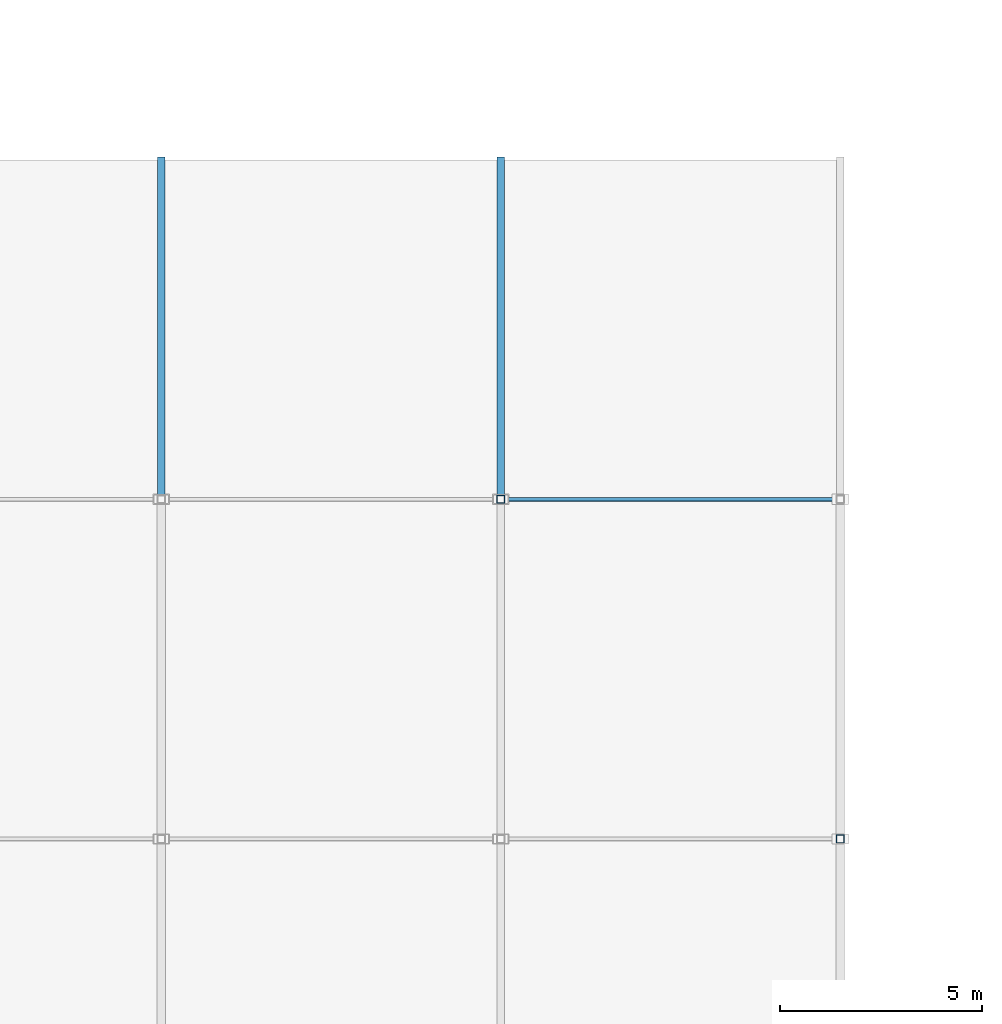
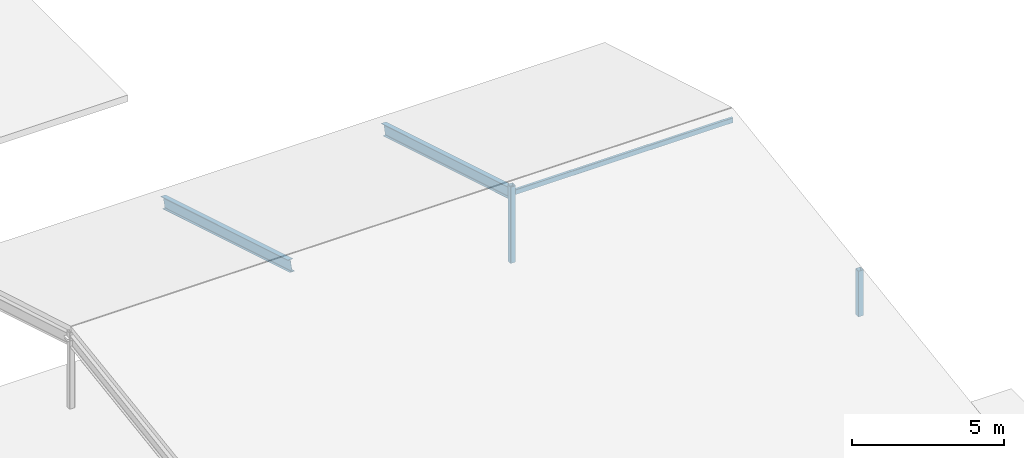
# One storey, part 5 of 31: 3 members, 2 beams.
"""IFC4 building model written with IfcOpenShell, lengths in metres."""

from ifc_helpers import new_model, si_unit, direction, frame, origin, origin_2d, place, context, subcontext, project, spatial, hollow_rectangle, i_section, extrude, material, material_profile, profile_set, type_object, element, save


model = new_model("IFC4")

# Units and contexts
model_context = context("Model", 3, precision=1e-05, world=origin(), true_north=direction((0.0, 1.0)))
body_context = subcontext(model_context, "Body", "Model", "MODEL_VIEW")
ifc_project = project(units=[si_unit("LENGTHUNIT", "METRE"), si_unit("AREAUNIT", "SQUARE_METRE"), si_unit("VOLUMEUNIT", "CUBIC_METRE"), si_unit("PLANEANGLEUNIT", "RADIAN"), si_unit("MASSUNIT", "GRAM", prefix="KILO")], contexts=[model_context])

# Site, building, storey
site_placement = place(None, origin())
site = spatial("IfcSite", under=ifc_project, at=site_placement, CompositionType="ELEMENT")
building_placement = place(site_placement, origin())
building = spatial("IfcBuilding", under=site, at=building_placement, Name="Varnapada Polytechnic", CompositionType="ELEMENT")
storey_placement = place(building_placement, frame((0.0, 0.0, 22.199951171875)))
storey = spatial("IfcBuildingStorey", under=building, at=storey_placement, Name="L05", CompositionType="ELEMENT", Elevation=22.199951171875)

# Beams
ifc_material = material(Name="Steel S355", Category="steel")
ifc_material_profile_1 = material_profile(ifc_material, i_section(OverallWidth=0.18994140625, OverallDepth=0.449951171875, WebThickness=0.009521484375, FlangeThickness=0.0146484375, FilletRadius=0.02099609375, at=origin_2d()), Name="IPE 450")
ifc_profile_set_1 = profile_set([ifc_material_profile_1], Name="Steel S355")
beam_type = type_object("IfcBeamType", Name="Folded gable & library roof rafter SB-02 (IPE 450)", PredefinedType="BEAM", material=ifc_profile_set_1)
for number, where, z_axis, x_axis, name in (
    (1, (33.60009765625, 42.0, 0.22509765625), (0.0, -0.957671397107, 0.287863674617), (1.0, 0.0, 0.0), "Lecture pavilion north gable rafter X5"),
    (2, (42.0, 42.0, 0.22509765625), (0.0, -0.957671397107, 0.287863674617), (1.0, 0.0, 0.0), "Lecture pavilion north gable rafter X6"),
):
    element("IfcBeam", number, at=place(storey_placement, frame(where, z_axis=z_axis, x_axis=x_axis)), inside=storey, type_object=beam_type, Name=name, PredefinedType="BEAM", context=body_context, shape_type="SweptSolid", body=[
        extrude(i_section(OverallWidth=0.18994140625, OverallDepth=0.449951171875, WebThickness=0.009521484375, FlangeThickness=0.0146484375, FilletRadius=0.02099609375, at=origin_2d()), origin(), (0.0, 0.0, 1.0), 8.771240234375),
    ])

# Members
ifc_material_profile_2 = material_profile(ifc_material, hollow_rectangle(XDim=0.10009765625, YDim=0.199951171875, WallThickness=0.00634765625, InnerFilletRadius=0.006103515625, OuterFilletRadius=0.011962890625, at=origin_2d()), Name="RHS 200x100x6.3")
ifc_profile_set_2 = profile_set([ifc_material_profile_2], Name="Steel S355")
member_type_1 = type_object("IfcMemberType", Name="Gable and library roof steel purlin PR-01 (RHS 200x100x6.3)", PredefinedType="PURLIN", material=ifc_profile_set_2)
member_1_placement = place(storey_placement, frame((42.0, 33.60009765625, 2.75), z_axis=(1.0, 0.0, 0.0), x_axis=(0.0, 1.0, 0.0)))
element("IfcMember", 3, at=member_1_placement, inside=storey, type_object=member_type_1, Name="Lecture roof purlin 6.2", PredefinedType="PURLIN", context=body_context, shape_type="SweptSolid", body=[
    extrude(hollow_rectangle(XDim=0.10009765625, YDim=0.199951171875, WallThickness=0.00634765625, InnerFilletRadius=0.006103515625, OuterFilletRadius=0.011962890625, at=origin_2d()), origin(), (0.0, 0.0, 1.0), 8.39990234375),
])
ifc_material_profile_3 = material_profile(ifc_material, hollow_rectangle(XDim=0.199951171875, YDim=0.199951171875, WallThickness=0.008056640625, InnerFilletRadius=0.008056640625, OuterFilletRadius=0.01611328125, at=origin_2d()), Name="SHS 200x200x8")
ifc_profile_set_3 = profile_set([ifc_material_profile_3], Name="Steel S355")
member_type_2 = type_object("IfcMemberType", Name="Roof clerestory king post SFP-01 (SHS 200x200x8)", PredefinedType="POST", material=ifc_profile_set_3)
member_2_placement = place(storey_placement, frame((42.0, 33.60009765625, -0.02001953125), z_axis=(0.0, 0.0, 1.0), x_axis=(1.0, 0.0, 0.0)))
element("IfcMember", 4, at=member_2_placement, inside=storey, type_object=member_type_2, Name="Lecture gable king post X6", PredefinedType="POST", context=body_context, shape_type="SweptSolid", body=[
    extrude(hollow_rectangle(XDim=0.199951171875, YDim=0.199951171875, WallThickness=0.008056640625, InnerFilletRadius=0.008056640625, OuterFilletRadius=0.01611328125, at=origin_2d()), origin(), (0.0, 0.0, 1.0), 3.080078125),
])
member_3_placement = place(storey_placement, frame((50.39990234375, 25.199951171875, -0.02001953125), z_axis=(0.0, 0.0, 1.0), x_axis=(1.0, 0.0, 0.0)))
element("IfcMember", 5, at=member_3_placement, inside=storey, type_object=member_type_2, Name="Lecture gable mid strut X7", PredefinedType="POST", context=body_context, shape_type="SweptSolid", body=[
    extrude(hollow_rectangle(XDim=0.199951171875, YDim=0.199951171875, WallThickness=0.008056640625, InnerFilletRadius=0.008056640625, OuterFilletRadius=0.01611328125, at=origin_2d()), origin(), (0.0, 0.0, 1.0), 1.840087890625),
])

save(model, "model.ifc")
